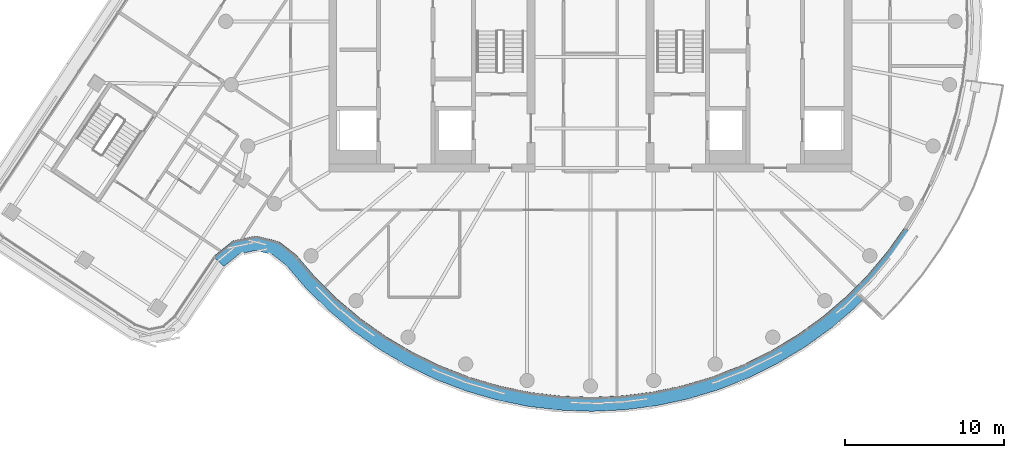
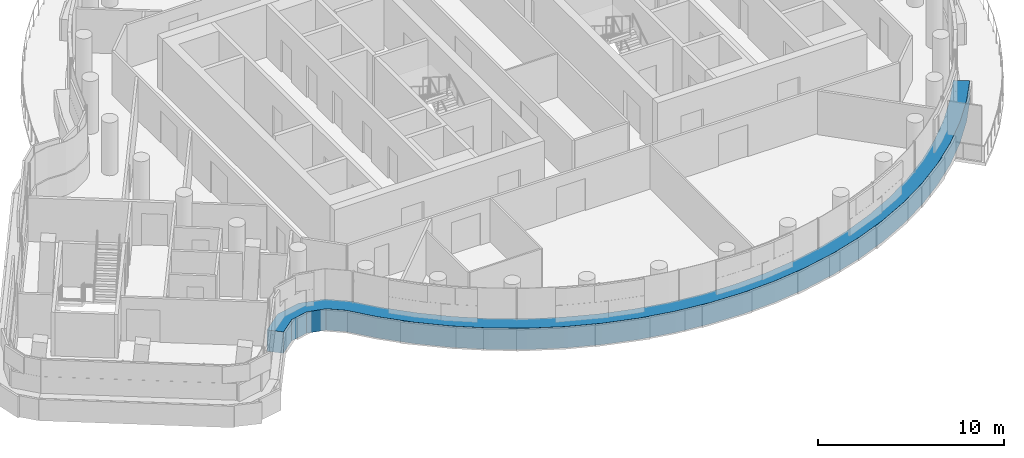
# One storey, part 6 of 27: 1 member, 1 element without a shape of its own.
"""IFC4 building model written with IfcOpenShell, lengths in metres."""

from ifc_helpers import new_model, si_unit, direction, frame, origin, place, context, subcontext, project, spatial, polyline, outline, extrude, material, layer, layer_set, type_object, element, aggregate, save


model = new_model("IFC4")

# Units and contexts
model_context = context("Model", 3, precision=1e-05, world=origin(), true_north=direction((0.0, 1.0)))
body_context = subcontext(model_context, "Body", "Model", "MODEL_VIEW")
ifc_project = project(units=[si_unit("LENGTHUNIT", "METRE"), si_unit("AREAUNIT", "SQUARE_METRE"), si_unit("VOLUMEUNIT", "CUBIC_METRE"), si_unit("PLANEANGLEUNIT", "RADIAN"), si_unit("MASSUNIT", "GRAM", prefix="KILO")], contexts=[model_context])

# Site, building, storey
site_placement = place(None, origin())
site = spatial("IfcSite", under=ifc_project, at=site_placement, CompositionType="ELEMENT")
building_placement = place(site_placement, origin())
building = spatial("IfcBuilding", under=site, at=building_placement, Name="Tamarind Cross Interchange Tower", CompositionType="ELEMENT")
storey_placement = place(building_placement, frame((0.0, 0.0, 237.89990234375)))
storey = spatial("IfcBuildingStorey", under=building, at=storey_placement, Name="L60", CompositionType="ELEMENT", Elevation=237.89990234375)

# Curtain wall, member
ifc_material_1 = material(Name="Aluminium 6063-T6", Category="aluminium")
ifc_layer = layer(ifc_material_1, 0.139892578125)
ifc_layer_set = layer_set([ifc_layer], Name="Aluminium 6063-T6")
curtain_wall_type = type_object("IfcCurtainWallType", Name="Hotel curtain wall, 4.5 m bays", PredefinedType="NOTDEFINED", material=ifc_layer_set)
curtain_wall_placement = place(storey_placement, origin())
curtain_wall = element("IfcCurtainWall", 1, at=curtain_wall_placement, inside=storey, type_object=curtain_wall_type, Name="CWS-L60-02", PredefinedType="NOTDEFINED")
ifc_material_2 = material(Name="Aluminium and insulated spandrel panel", Category="aluminium")
member_type = type_object("IfcMemberType", Name="Floor-edge blade transom", PredefinedType="USERDEFINED", material=ifc_material_2)
member_placement = place(storey_placement, origin())
member = element("IfcMember", 2, at=member_placement, type_object=member_type, Name="CWT-L60-02-0", ObjectType="TRANSOM", PredefinedType="USERDEFINED", context=body_context, shape_type="SweptSolid", body=[
    extrude(outline(polyline([(-23.77880859375, -14.84130859375), (-22.54541015625, -13.838623046875), (-21.080322265625, -13.521484375), (-19.636962890625, -13.889892578125), (-18.568115234375, -14.715576171875), (-17.3642578125, -16.12353515625), (-15.973388671875, -17.50244140625), (-14.4736328125, -18.76171875), (-12.874755859375, -19.892822265625), (-11.188232421875, -20.88818359375), (-9.425048828125, -21.74072265625), (-7.597412109375, -22.444580078125), (-5.718017578125, -22.995361328125), (-3.799560546875, -23.38916015625), (-1.855224609375, -23.623046875), (0.10205078125, -23.695556640625), (2.058349609375, -23.606201171875), (4.000732421875, -23.35546875), (5.915771484375, -22.9453125), (7.790283203125, -22.37841796875), (9.61181640625, -21.65869140625), (11.367431640625, -20.791015625), (13.045654296875, -19.78125), (14.634521484375, -18.636474609375), (16.12353515625, -17.3642578125), (17.50244140625, -15.973388671875), (18.76171875, -14.4736328125), (19.79345703125, -13.015380859375), (20.5458984375, -13.510009765625), (19.474853515625, -15.023681640625), (18.167724609375, -16.580810546875), (16.736572265625, -18.0244140625), (15.19091796875, -19.344970703125), (13.54150390625, -20.533203125), (11.799560546875, -21.581298828125), (9.97705078125, -22.482177734375), (8.08642578125, -23.229248046875), (6.140625, -23.817626953125), (4.15283203125, -24.243408203125), (2.13671875, -24.50341796875), (0.10595703125, -24.59619140625), (-1.925537109375, -24.52099609375), (-3.944091796875, -24.2783203125), (-5.935302734375, -23.86962890625), (-7.88623046875, -23.2978515625), (-9.783203125, -22.567138671875), (-11.613525390625, -21.68212890625), (-13.3642578125, -20.64892578125), (-15.023681640625, -19.474853515625), (-16.580810546875, -18.167724609375), (-18.024169921875, -16.736572265625), (-19.19189453125, -15.37109375), (-20.0400390625, -14.7158203125), (-21.09716796875, -14.446044921875), (-22.144775390625, -14.6728515625), (-23.10693359375, -15.454833984375), (-23.77880859375, -14.84130859375)])), origin(), (0.0, 0.0, 1.0), 1.400146484375),
])
aggregate(curtain_wall, [member])

save(model, "model.ifc")
